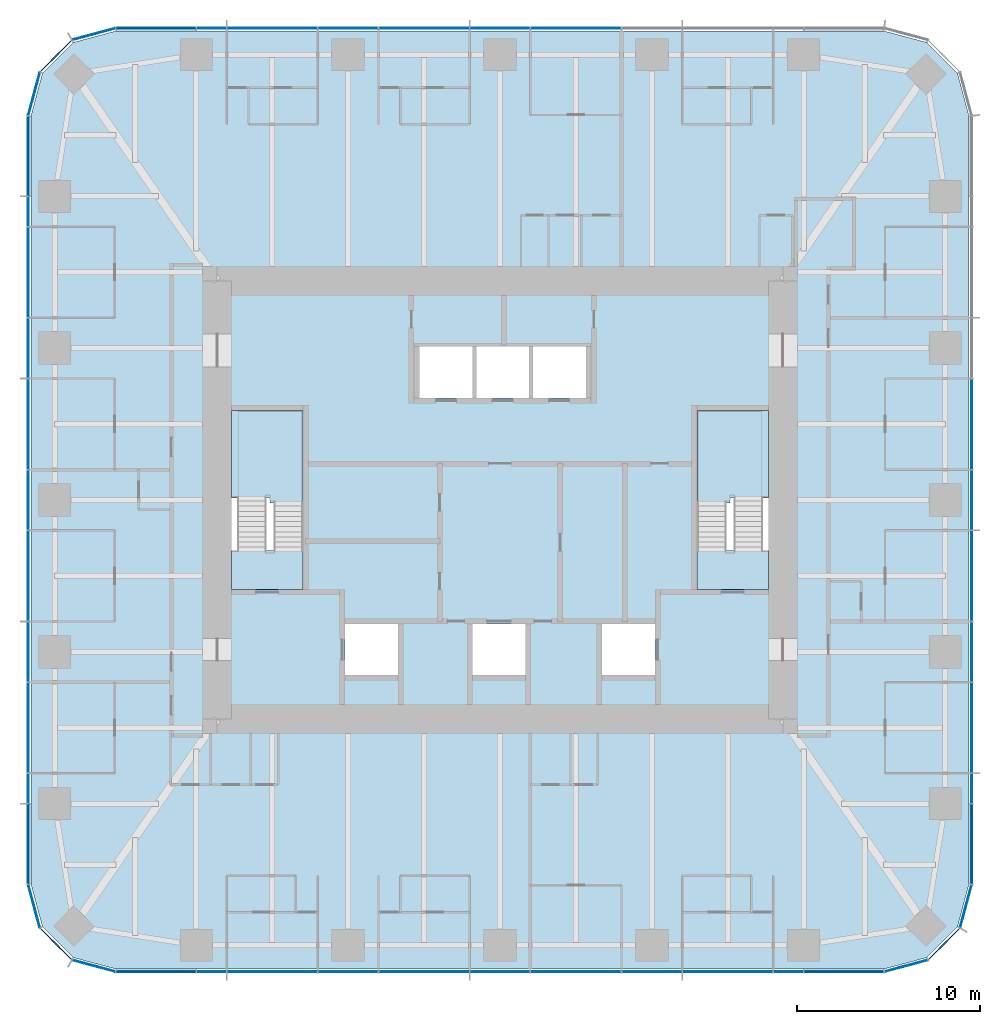
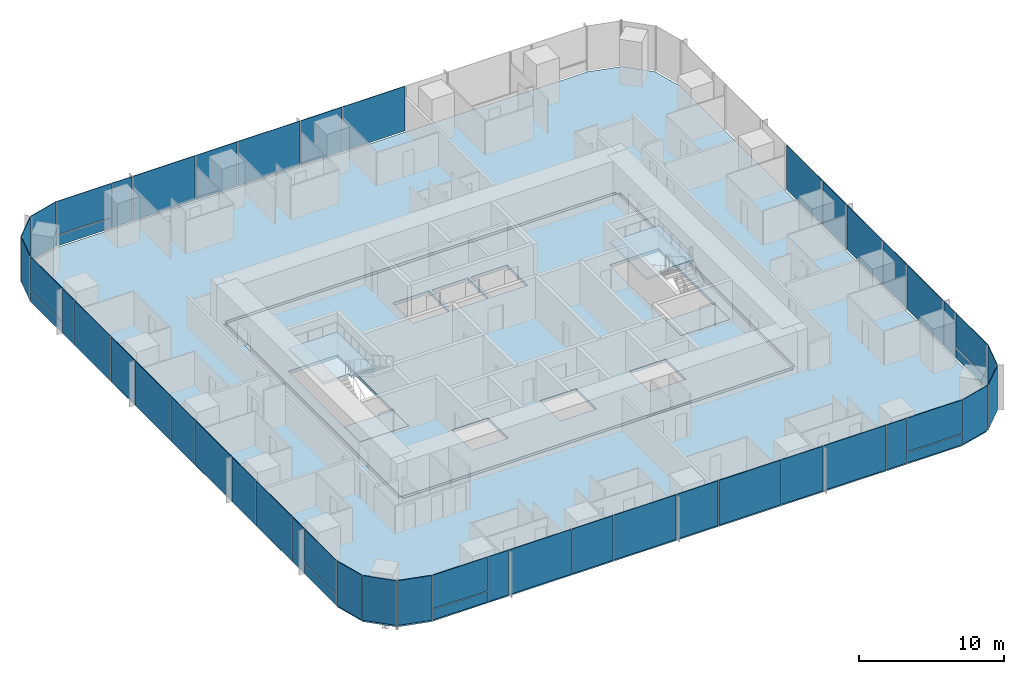
# One storey, part 7 of 13: 51 plates, 6 slabs, 9 elements without a shape of their own.
"""IFC4 building model written with IfcOpenShell, lengths in metres."""

from ifc_helpers import new_model, si_unit, direction, frame, origin, origin_2d, place, context, subcontext, project, spatial, polyline, rectangle, outline, extrude, material, layer, layer_set, type_object, element, aggregate, save


model = new_model("IFC4")

# Units and contexts
model_context = context("Model", 3, precision=1e-05, world=origin(), true_north=direction((0.0, 1.0)))
body_context = subcontext(model_context, "Body", "Model", "MODEL_VIEW")
ifc_project = project(units=[si_unit("LENGTHUNIT", "METRE"), si_unit("AREAUNIT", "SQUARE_METRE"), si_unit("VOLUMEUNIT", "CUBIC_METRE"), si_unit("PLANEANGLEUNIT", "RADIAN"), si_unit("MASSUNIT", "GRAM", prefix="KILO")], contexts=[model_context])

# Site, building, storey
site_placement = place(None, origin())
site = spatial("IfcSite", under=ifc_project, at=site_placement, CompositionType="ELEMENT")
building_placement = place(site_placement, origin())
building = spatial("IfcBuilding", under=site, at=building_placement, Name="Khuree Lantern Residences", CompositionType="ELEMENT")
storey_placement = place(building_placement, frame((0.0, 0.0, 255.75)))
storey = spatial("IfcBuildingStorey", under=building, at=storey_placement, Name="L64", CompositionType="ELEMENT", Elevation=255.75)

# Slab
ifc_material_1 = material(Name="Concrete C35/45", Category="concrete")
ifc_layer_1 = layer(ifc_material_1, 0.25)
ifc_layer_set_1 = layer_set([ifc_layer_1], Name="CFL250 CORE FLOOR SLAB 250")
slab_type_1 = type_object("IfcSlabType", Name="CFL250 CORE FLOOR SLAB 250", PredefinedType="FLOOR", material=ifc_layer_set_1)
slab_1_placement = place(storey_placement, frame((0.0, 0.0, -0.25)))
element("IfcSlab", 1, at=slab_1_placement, inside=storey, type_object=slab_type_1, Name="Core floor L64", PredefinedType="FLOOR", context=body_context, shape_type="SweptSolid", body=[
    extrude(outline(polyline([(-15.5, -12.0), (-15.5, 12.0), (15.5, 12.0), (15.5, -12.0), (-15.5, -12.0)]), holes=[polyline([(10.800048828125, 4.89990234375), (10.800048828125, -4.89990234375), (14.699951171875, -4.89990234375), (14.699951171875, 4.89990234375), (10.800048828125, 4.89990234375)]), polyline([(5.60009765625, -6.800048828125), (5.60009765625, -9.60009765625), (8.5, -9.60009765625), (8.5, -6.800048828125), (5.60009765625, -6.800048828125)]), polyline([(1.800048828125, 8.39990234375), (1.800048828125, 5.60009765625), (4.699951171875, 5.60009765625), (4.699951171875, 8.39990234375), (1.800048828125, 8.39990234375)]), polyline([(-1.300048828125, 8.39990234375), (-1.300048828125, 5.60009765625), (1.60009765625, 5.60009765625), (1.60009765625, 8.39990234375), (-1.300048828125, 8.39990234375)]), polyline([(-1.5, -6.800048828125), (-1.5, -9.60009765625), (1.39990234375, -9.60009765625), (1.39990234375, -6.800048828125), (-1.5, -6.800048828125)]), polyline([(-4.39990234375, 8.39990234375), (-4.39990234375, 5.60009765625), (-1.5, 5.60009765625), (-1.5, 8.39990234375), (-4.39990234375, 8.39990234375)]), polyline([(-8.5, -6.800048828125), (-8.5, -9.60009765625), (-5.60009765625, -9.60009765625), (-5.60009765625, -6.800048828125), (-8.5, -6.800048828125)]), polyline([(-14.699951171875, 4.89990234375), (-14.699951171875, -4.89990234375), (-10.800048828125, -4.89990234375), (-10.800048828125, 4.89990234375), (-14.699951171875, 4.89990234375)])]), origin(), (0.0, 0.0, 1.0), 0.25),
])

# Curtain wall, plates
ifc_material_2 = material(Name="Bronze anodised aluminium", Category="aluminium")
curtain_wall_type_1 = type_object("IfcCurtainWallType", Name="CW-T2 TOWER CORNER CURTAIN WALL", PredefinedType="USERDEFINED", material=ifc_material_2)
curtain_wall_1_placement = place(storey_placement, origin())
curtain_wall_1 = element("IfcCurtainWall", 2, at=curtain_wall_1_placement, inside=storey, type_object=curtain_wall_type_1, Name="L64 SOUTH-EAST CORNER CURTAIN WALL", ObjectType="Faceted corner curtain wall", PredefinedType="USERDEFINED")
ifc_material_3 = material(Name="Bronze tinted triple glazing", Category="glass")
ifc_layer_2 = layer(ifc_material_3, 0.048095703125)
ifc_layer_set_2 = layer_set([ifc_layer_2], Name="FACET PANEL P4")
plate_type_1 = type_object("IfcPlateType", Name="FACET PANEL P4", PredefinedType="CURTAIN_PANEL", material=ifc_layer_set_2)
plate_1_placement = place(storey_placement, frame((22.248046875, -25.529052734375, 0.0), z_axis=(0.0, 0.0, 1.0), x_axis=(0.965925832509, 0.258819021888, 0.0)))
plate_1 = element("IfcPlate", 3, at=plate_1_placement, type_object=plate_type_1, Name="L64 SOUTH-EAST CORNER PANEL 1.1", PredefinedType="CURTAIN_PANEL", context=body_context, shape_type="SweptSolid", body=[
    extrude(rectangle(XDim=2.40869140625, YDim=0.048095703125, at=origin_2d()), origin(), (0.0, 0.0, 1.0), 3.75),
])
plate_2_placement = place(storey_placement, frame((24.328369140625, -24.328369140625, 0.0), z_axis=(0.0, 0.0, 1.0), x_axis=(0.707106781187, 0.707106781187, 0.0)))
plate_2 = element("IfcPlate", 4, at=plate_2_placement, type_object=plate_type_1, Name="L64 SOUTH-EAST CORNER PANEL 2.1", PredefinedType="CURTAIN_PANEL", context=body_context, shape_type="SweptSolid", body=[
    extrude(rectangle(XDim=2.404541015625, YDim=0.048095703125, at=origin_2d()), origin(), (0.0, 0.0, 1.0), 3.75),
])
plate_3_placement = place(storey_placement, frame((25.529052734375, -22.248046875, 0.0), z_axis=(0.0, 0.0, 1.0), x_axis=(0.258819021888, 0.965925832509, 0.0)))
plate_3 = element("IfcPlate", 5, at=plate_3_placement, type_object=plate_type_1, Name="L64 SOUTH-EAST CORNER PANEL 3.1", PredefinedType="CURTAIN_PANEL", context=body_context, shape_type="SweptSolid", body=[
    extrude(rectangle(XDim=2.40869140625, YDim=0.048095703125, at=origin_2d()), origin(), (0.0, 0.0, 1.0), 3.75),
])
aggregate(curtain_wall_1, [plate_1, plate_2, plate_3])

curtain_wall_2_placement = place(storey_placement, origin())
curtain_wall_2 = element("IfcCurtainWall", 6, at=curtain_wall_2_placement, inside=storey, type_object=curtain_wall_type_1, Name="L64 NORTH-WEST CORNER CURTAIN WALL", ObjectType="Faceted corner curtain wall", PredefinedType="USERDEFINED")
plate_4_placement = place(storey_placement, frame((-22.248046875, 25.529052734375, 0.0), z_axis=(0.0, 0.0, 1.0), x_axis=(-0.965925832509, -0.258819021888, 0.0)))
plate_4 = element("IfcPlate", 7, at=plate_4_placement, type_object=plate_type_1, Name="L64 NORTH-WEST CORNER PANEL 29.1", PredefinedType="CURTAIN_PANEL", context=body_context, shape_type="SweptSolid", body=[
    extrude(rectangle(XDim=2.40869140625, YDim=0.048095703125, at=origin_2d()), origin(), (0.0, 0.0, 1.0), 3.75),
])
plate_5_placement = place(storey_placement, frame((-24.328369140625, 24.328369140625, 0.0), z_axis=(0.0, 0.0, 1.0), x_axis=(-0.707106781187, -0.707106781187, 0.0)))
plate_5 = element("IfcPlate", 8, at=plate_5_placement, type_object=plate_type_1, Name="L64 NORTH-WEST CORNER PANEL 30.1", PredefinedType="CURTAIN_PANEL", context=body_context, shape_type="SweptSolid", body=[
    extrude(rectangle(XDim=2.404541015625, YDim=0.048095703125, at=origin_2d()), origin(), (0.0, 0.0, 1.0), 3.75),
])
plate_6_placement = place(storey_placement, frame((-25.529052734375, 22.248046875, 0.0), z_axis=(0.0, 0.0, 1.0), x_axis=(-0.258819021888, -0.965925832509, 0.0)))
plate_6 = element("IfcPlate", 9, at=plate_6_placement, type_object=plate_type_1, Name="L64 NORTH-WEST CORNER PANEL 31.1", PredefinedType="CURTAIN_PANEL", context=body_context, shape_type="SweptSolid", body=[
    extrude(rectangle(XDim=2.40869140625, YDim=0.048095703125, at=origin_2d()), origin(), (0.0, 0.0, 1.0), 3.75),
])
aggregate(curtain_wall_2, [plate_4, plate_5, plate_6])

curtain_wall_3_placement = place(storey_placement, origin())
curtain_wall_3 = element("IfcCurtainWall", 10, at=curtain_wall_3_placement, inside=storey, type_object=curtain_wall_type_1, Name="L64 SOUTH-WEST CORNER CURTAIN WALL", ObjectType="Faceted corner curtain wall", PredefinedType="USERDEFINED")
plate_7_placement = place(storey_placement, frame((-25.529052734375, -22.248046875, 0.0), z_axis=(0.0, 0.0, 1.0), x_axis=(0.258819021888, -0.965925832509, 0.0)))
plate_7 = element("IfcPlate", 11, at=plate_7_placement, type_object=plate_type_1, Name="L64 SOUTH-WEST CORNER PANEL 43.1", PredefinedType="CURTAIN_PANEL", context=body_context, shape_type="SweptSolid", body=[
    extrude(rectangle(XDim=2.40869140625, YDim=0.048095703125, at=origin_2d()), origin(), (0.0, 0.0, 1.0), 3.75),
])
plate_8_placement = place(storey_placement, frame((-24.328369140625, -24.328369140625, 0.0), z_axis=(0.0, 0.0, 1.0), x_axis=(0.707106781187, -0.707106781187, 0.0)))
plate_8 = element("IfcPlate", 12, at=plate_8_placement, type_object=plate_type_1, Name="L64 SOUTH-WEST CORNER PANEL 44.1", PredefinedType="CURTAIN_PANEL", context=body_context, shape_type="SweptSolid", body=[
    extrude(rectangle(XDim=2.404541015625, YDim=0.048095703125, at=origin_2d()), origin(), (0.0, 0.0, 1.0), 3.75),
])
plate_9_placement = place(storey_placement, frame((-22.248046875, -25.529052734375, 0.0), z_axis=(0.0, 0.0, 1.0), x_axis=(0.965925832509, -0.258819021888, 0.0)))
plate_9 = element("IfcPlate", 13, at=plate_9_placement, type_object=plate_type_1, Name="L64 SOUTH-WEST CORNER PANEL 45.1", PredefinedType="CURTAIN_PANEL", context=body_context, shape_type="SweptSolid", body=[
    extrude(rectangle(XDim=2.40869140625, YDim=0.048095703125, at=origin_2d()), origin(), (0.0, 0.0, 1.0), 3.75),
])
aggregate(curtain_wall_3, [plate_7, plate_8, plate_9])

curtain_wall_type_2 = type_object("IfcCurtainWallType", Name="CW-T1 TOWER FACE CURTAIN WALL", PredefinedType="USERDEFINED", material=ifc_material_2)
curtain_wall_4_placement = place(storey_placement, origin())
curtain_wall_4 = element("IfcCurtainWall", 14, at=curtain_wall_4_placement, inside=storey, type_object=curtain_wall_type_2, Name="L64 EAST FACE CURTAIN WALL", ObjectType="Stick-built curtain wall", PredefinedType="USERDEFINED")
ifc_material_4 = material(Name="Bronze tinted triple glazing with a ceramic-fritted spandrel band", Category="glass")
ifc_layer_3 = layer(ifc_material_4, 0.048095703125)
ifc_layer_set_3 = layer_set([ifc_layer_3], Name="FIXED LIGHT PANEL P11")
plate_type_2 = type_object("IfcPlateType", Name="FIXED LIGHT PANEL P11", PredefinedType="CURTAIN_PANEL", material=ifc_layer_set_3)
plate_10_placement = place(storey_placement, frame((25.85009765625, -12.47998046875, 0.0), z_axis=(0.0, 0.0, 1.0), x_axis=(0.0, 1.0, 0.0)))
plate_10 = element("IfcPlate", 15, at=plate_10_placement, type_object=plate_type_2, Name="L64 EAST FACE PANEL 6.1", PredefinedType="CURTAIN_PANEL", context=body_context, shape_type="SweptSolid", body=[
    extrude(rectangle(XDim=4.927001953125, YDim=0.048095703125, at=origin_2d()), origin(), (0.0, 0.0, 1.0), 3.75),
])
plate_11_placement = place(storey_placement, frame((25.85009765625, -4.159912109375, 0.0), z_axis=(0.0, 0.0, 1.0), x_axis=(0.0, 1.0, 0.0)))
plate_11 = element("IfcPlate", 16, at=plate_11_placement, type_object=plate_type_2, Name="L64 EAST FACE PANEL 8.1", PredefinedType="CURTAIN_PANEL", context=body_context, shape_type="SweptSolid", body=[
    extrude(rectangle(XDim=4.927001953125, YDim=0.048095703125, at=origin_2d()), origin(), (0.0, 0.0, 1.0), 3.75),
])
plate_12_placement = place(storey_placement, frame((25.85009765625, 4.159912109375, 0.0), z_axis=(0.0, 0.0, 1.0), x_axis=(0.0, 1.0, 0.0)))
plate_12 = element("IfcPlate", 17, at=plate_12_placement, type_object=plate_type_2, Name="L64 EAST FACE PANEL 10.1", PredefinedType="CURTAIN_PANEL", context=body_context, shape_type="SweptSolid", body=[
    extrude(rectangle(XDim=4.927001953125, YDim=0.048095703125, at=origin_2d()), origin(), (0.0, 0.0, 1.0), 3.75),
])

curtain_wall_5_placement = place(storey_placement, origin())
curtain_wall_5 = element("IfcCurtainWall", 18, at=curtain_wall_5_placement, inside=storey, type_object=curtain_wall_type_2, Name="L64 NORTH FACE CURTAIN WALL", ObjectType="Stick-built curtain wall", PredefinedType="USERDEFINED")
plate_13_placement = place(storey_placement, frame((4.159912109375, 25.85009765625, 0.0), z_axis=(0.0, 0.0, 1.0), x_axis=(-1.0, 0.0, 0.0)))
plate_13 = element("IfcPlate", 19, at=plate_13_placement, type_object=plate_type_2, Name="L64 NORTH FACE PANEL 22.1", PredefinedType="CURTAIN_PANEL", context=body_context, shape_type="SweptSolid", body=[
    extrude(rectangle(XDim=4.927001953125, YDim=0.048095703125, at=origin_2d()), origin(), (0.0, 0.0, 1.0), 3.75),
])
plate_14_placement = place(storey_placement, frame((-4.159912109375, 25.85009765625, 0.0), z_axis=(0.0, 0.0, 1.0), x_axis=(-1.0, 0.0, 0.0)))
plate_14 = element("IfcPlate", 20, at=plate_14_placement, type_object=plate_type_2, Name="L64 NORTH FACE PANEL 24.1", PredefinedType="CURTAIN_PANEL", context=body_context, shape_type="SweptSolid", body=[
    extrude(rectangle(XDim=4.927001953125, YDim=0.048095703125, at=origin_2d()), origin(), (0.0, 0.0, 1.0), 3.75),
])
plate_15_placement = place(storey_placement, frame((-12.47998046875, 25.85009765625, 0.0), z_axis=(0.0, 0.0, 1.0), x_axis=(-1.0, 0.0, 0.0)))
plate_15 = element("IfcPlate", 21, at=plate_15_placement, type_object=plate_type_2, Name="L64 NORTH FACE PANEL 26.1", PredefinedType="CURTAIN_PANEL", context=body_context, shape_type="SweptSolid", body=[
    extrude(rectangle(XDim=4.927001953125, YDim=0.048095703125, at=origin_2d()), origin(), (0.0, 0.0, 1.0), 3.75),
])

curtain_wall_6_placement = place(storey_placement, origin())
curtain_wall_6 = element("IfcCurtainWall", 22, at=curtain_wall_6_placement, inside=storey, type_object=curtain_wall_type_2, Name="L64 WEST FACE CURTAIN WALL", ObjectType="Stick-built curtain wall", PredefinedType="USERDEFINED")
plate_16_placement = place(storey_placement, frame((-25.85009765625, 12.47998046875, 0.0), z_axis=(0.0, 0.0, 1.0), x_axis=(0.0, -1.0, 0.0)))
plate_16 = element("IfcPlate", 23, at=plate_16_placement, type_object=plate_type_2, Name="L64 WEST FACE PANEL 34.1", PredefinedType="CURTAIN_PANEL", context=body_context, shape_type="SweptSolid", body=[
    extrude(rectangle(XDim=4.927001953125, YDim=0.048095703125, at=origin_2d()), origin(), (0.0, 0.0, 1.0), 3.75),
])
plate_17_placement = place(storey_placement, frame((-25.85009765625, 4.159912109375, 0.0), z_axis=(0.0, 0.0, 1.0), x_axis=(0.0, -1.0, 0.0)))
plate_17 = element("IfcPlate", 24, at=plate_17_placement, type_object=plate_type_2, Name="L64 WEST FACE PANEL 36.1", PredefinedType="CURTAIN_PANEL", context=body_context, shape_type="SweptSolid", body=[
    extrude(rectangle(XDim=4.927001953125, YDim=0.048095703125, at=origin_2d()), origin(), (0.0, 0.0, 1.0), 3.75),
])
plate_18_placement = place(storey_placement, frame((-25.85009765625, -4.159912109375, 0.0), z_axis=(0.0, 0.0, 1.0), x_axis=(0.0, -1.0, 0.0)))
plate_18 = element("IfcPlate", 25, at=plate_18_placement, type_object=plate_type_2, Name="L64 WEST FACE PANEL 38.1", PredefinedType="CURTAIN_PANEL", context=body_context, shape_type="SweptSolid", body=[
    extrude(rectangle(XDim=4.927001953125, YDim=0.048095703125, at=origin_2d()), origin(), (0.0, 0.0, 1.0), 3.75),
])
plate_19_placement = place(storey_placement, frame((-25.85009765625, -12.47998046875, 0.0), z_axis=(0.0, 0.0, 1.0), x_axis=(0.0, -1.0, 0.0)))
plate_19 = element("IfcPlate", 26, at=plate_19_placement, type_object=plate_type_2, Name="L64 WEST FACE PANEL 40.1", PredefinedType="CURTAIN_PANEL", context=body_context, shape_type="SweptSolid", body=[
    extrude(rectangle(XDim=4.927001953125, YDim=0.048095703125, at=origin_2d()), origin(), (0.0, 0.0, 1.0), 3.75),
])

curtain_wall_7_placement = place(storey_placement, origin())
curtain_wall_7 = element("IfcCurtainWall", 27, at=curtain_wall_7_placement, inside=storey, type_object=curtain_wall_type_2, Name="L64 SOUTH FACE CURTAIN WALL", ObjectType="Stick-built curtain wall", PredefinedType="USERDEFINED")
plate_20_placement = place(storey_placement, frame((-12.47998046875, -25.85009765625, 0.0), z_axis=(0.0, 0.0, 1.0), x_axis=(1.0, 0.0, 0.0)))
plate_20 = element("IfcPlate", 28, at=plate_20_placement, type_object=plate_type_2, Name="L64 SOUTH FACE PANEL 48.1", PredefinedType="CURTAIN_PANEL", context=body_context, shape_type="SweptSolid", body=[
    extrude(rectangle(XDim=4.927001953125, YDim=0.048095703125, at=origin_2d()), origin(), (0.0, 0.0, 1.0), 3.75),
])
plate_21_placement = place(storey_placement, frame((-4.159912109375, -25.85009765625, 0.0), z_axis=(0.0, 0.0, 1.0), x_axis=(1.0, 0.0, 0.0)))
plate_21 = element("IfcPlate", 29, at=plate_21_placement, type_object=plate_type_2, Name="L64 SOUTH FACE PANEL 50.1", PredefinedType="CURTAIN_PANEL", context=body_context, shape_type="SweptSolid", body=[
    extrude(rectangle(XDim=4.927001953125, YDim=0.048095703125, at=origin_2d()), origin(), (0.0, 0.0, 1.0), 3.75),
])
plate_22_placement = place(storey_placement, frame((4.159912109375, -25.85009765625, 0.0), z_axis=(0.0, 0.0, 1.0), x_axis=(1.0, 0.0, 0.0)))
plate_22 = element("IfcPlate", 30, at=plate_22_placement, type_object=plate_type_2, Name="L64 SOUTH FACE PANEL 52.1", PredefinedType="CURTAIN_PANEL", context=body_context, shape_type="SweptSolid", body=[
    extrude(rectangle(XDim=4.927001953125, YDim=0.048095703125, at=origin_2d()), origin(), (0.0, 0.0, 1.0), 3.75),
])
plate_23_placement = place(storey_placement, frame((12.47998046875, -25.85009765625, 0.0), z_axis=(0.0, 0.0, 1.0), x_axis=(1.0, 0.0, 0.0)))
plate_23 = element("IfcPlate", 31, at=plate_23_placement, type_object=plate_type_2, Name="L64 SOUTH FACE PANEL 54.1", PredefinedType="CURTAIN_PANEL", context=body_context, shape_type="SweptSolid", body=[
    extrude(rectangle(XDim=4.927001953125, YDim=0.048095703125, at=origin_2d()), origin(), (0.0, 0.0, 1.0), 3.75),
])

# Slab
ifc_layer_4 = layer(ifc_material_1, 0.25)
ifc_layer_set_4 = layer_set([ifc_layer_4], Name="FS250 FLOOR SLAB 250")
slab_type_2 = type_object("IfcSlabType", Name="FS250 FLOOR SLAB 250", PredefinedType="FLOOR", material=ifc_layer_set_4)
slab_2_placement = place(storey_placement, frame((0.0, 0.0, -0.25)))
element("IfcSlab", 32, at=slab_2_placement, inside=storey, type_object=slab_type_2, Name="Floor slab L64", PredefinedType="FLOOR", context=body_context, shape_type="SweptSolid", body=[
    extrude(outline(polyline([(-23.375, -25.076904296875), (-25.076904296875, -23.375), (-25.699951171875, -21.050048828125), (-25.699951171875, 21.050048828125), (-25.076904296875, 23.375), (-23.375, 25.076904296875), (-21.050048828125, 25.699951171875), (21.050048828125, 25.699951171875), (23.375, 25.076904296875), (25.076904296875, 23.375), (25.699951171875, 21.050048828125), (25.699951171875, -21.050048828125), (25.076904296875, -23.375), (23.375, -25.076904296875), (21.050048828125, -25.699951171875), (-21.050048828125, -25.699951171875), (-23.375, -25.076904296875)]), holes=[polyline([(15.75, 12.0), (15.5, 12.0), (15.5, 12.25), (-15.5, 12.25), (-15.5, 12.0), (-15.75, 12.0), (-15.75, -12.0), (-15.5, -12.0), (-15.5, -12.25), (15.5, -12.25), (15.5, -12.0), (15.75, -12.0), (15.75, 12.0)])]), origin(), (0.0, 0.0, 1.0), 0.25),
])

# Plate
ifc_material_5 = material(Name="Bronze tinted triple glazing, two aluminium-framed sashes in one frame", Category="aluminium")
ifc_layer_5 = layer(ifc_material_5, 0.048095703125)
ifc_layer_set_5 = layer_set([ifc_layer_5], Name="SASH PAIR PANEL P12")
plate_type_3 = type_object("IfcPlateType", Name="SASH PAIR PANEL P12", PredefinedType="CURTAIN_PANEL", material=ifc_layer_set_5)
plate_24_placement = place(storey_placement, frame((25.85009765625, -8.320068359375, 0.0), z_axis=(0.0, 0.0, 1.0), x_axis=(0.0, 1.0, 0.0)))
plate_24 = element("IfcPlate", 33, at=plate_24_placement, type_object=plate_type_3, Name="L64 EAST FACE PANEL 7.1", PredefinedType="CURTAIN_PANEL", context=body_context, shape_type="SweptSolid", body=[
    extrude(rectangle(XDim=3.262939453125, YDim=0.048095703125, at=origin_2d()), origin(), (0.0, 0.0, 1.0), 3.75),
])

plate_25_placement = place(storey_placement, frame((25.85009765625, 0.0, 0.0), z_axis=(0.0, 0.0, 1.0), x_axis=(0.0, 1.0, 0.0)))
plate_25 = element("IfcPlate", 34, at=plate_25_placement, type_object=plate_type_3, Name="L64 EAST FACE PANEL 9.1", PredefinedType="CURTAIN_PANEL", context=body_context, shape_type="SweptSolid", body=[
    extrude(rectangle(XDim=3.262939453125, YDim=0.048095703125, at=origin_2d()), origin(), (0.0, 0.0, 1.0), 3.75),
])

plate_26_placement = place(storey_placement, frame((0.0, 25.85009765625, 0.0), z_axis=(0.0, 0.0, 1.0), x_axis=(-1.0, 0.0, 0.0)))
plate_26 = element("IfcPlate", 35, at=plate_26_placement, type_object=plate_type_3, Name="L64 NORTH FACE PANEL 23.1", PredefinedType="CURTAIN_PANEL", context=body_context, shape_type="SweptSolid", body=[
    extrude(rectangle(XDim=3.262939453125, YDim=0.048095703125, at=origin_2d()), origin(), (0.0, 0.0, 1.0), 3.75),
])

plate_27_placement = place(storey_placement, frame((-8.320068359375, 25.85009765625, 0.0), z_axis=(0.0, 0.0, 1.0), x_axis=(-1.0, 0.0, 0.0)))
plate_27 = element("IfcPlate", 36, at=plate_27_placement, type_object=plate_type_3, Name="L64 NORTH FACE PANEL 25.1", PredefinedType="CURTAIN_PANEL", context=body_context, shape_type="SweptSolid", body=[
    extrude(rectangle(XDim=3.262939453125, YDim=0.048095703125, at=origin_2d()), origin(), (0.0, 0.0, 1.0), 3.75),
])

plate_28_placement = place(storey_placement, frame((-25.85009765625, 8.320068359375, 0.0), z_axis=(0.0, 0.0, 1.0), x_axis=(0.0, -1.0, 0.0)))
plate_28 = element("IfcPlate", 37, at=plate_28_placement, type_object=plate_type_3, Name="L64 WEST FACE PANEL 35.1", PredefinedType="CURTAIN_PANEL", context=body_context, shape_type="SweptSolid", body=[
    extrude(rectangle(XDim=3.262939453125, YDim=0.048095703125, at=origin_2d()), origin(), (0.0, 0.0, 1.0), 3.75),
])

plate_29_placement = place(storey_placement, frame((-25.85009765625, 0.0, 0.0), z_axis=(0.0, 0.0, 1.0), x_axis=(0.0, -1.0, 0.0)))
plate_29 = element("IfcPlate", 38, at=plate_29_placement, type_object=plate_type_3, Name="L64 WEST FACE PANEL 37.1", PredefinedType="CURTAIN_PANEL", context=body_context, shape_type="SweptSolid", body=[
    extrude(rectangle(XDim=3.262939453125, YDim=0.048095703125, at=origin_2d()), origin(), (0.0, 0.0, 1.0), 3.75),
])

plate_30_placement = place(storey_placement, frame((-25.85009765625, -8.320068359375, 0.0), z_axis=(0.0, 0.0, 1.0), x_axis=(0.0, -1.0, 0.0)))
plate_30 = element("IfcPlate", 39, at=plate_30_placement, type_object=plate_type_3, Name="L64 WEST FACE PANEL 39.1", PredefinedType="CURTAIN_PANEL", context=body_context, shape_type="SweptSolid", body=[
    extrude(rectangle(XDim=3.262939453125, YDim=0.048095703125, at=origin_2d()), origin(), (0.0, 0.0, 1.0), 3.75),
])

plate_31_placement = place(storey_placement, frame((-8.320068359375, -25.85009765625, 0.0), z_axis=(0.0, 0.0, 1.0), x_axis=(1.0, 0.0, 0.0)))
plate_31 = element("IfcPlate", 40, at=plate_31_placement, type_object=plate_type_3, Name="L64 SOUTH FACE PANEL 49.1", PredefinedType="CURTAIN_PANEL", context=body_context, shape_type="SweptSolid", body=[
    extrude(rectangle(XDim=3.262939453125, YDim=0.048095703125, at=origin_2d()), origin(), (0.0, 0.0, 1.0), 3.75),
])

plate_32_placement = place(storey_placement, frame((0.0, -25.85009765625, 0.0), z_axis=(0.0, 0.0, 1.0), x_axis=(1.0, 0.0, 0.0)))
plate_32 = element("IfcPlate", 41, at=plate_32_placement, type_object=plate_type_3, Name="L64 SOUTH FACE PANEL 51.1", PredefinedType="CURTAIN_PANEL", context=body_context, shape_type="SweptSolid", body=[
    extrude(rectangle(XDim=3.262939453125, YDim=0.048095703125, at=origin_2d()), origin(), (0.0, 0.0, 1.0), 3.75),
])

plate_33_placement = place(storey_placement, frame((8.320068359375, -25.85009765625, 0.0), z_axis=(0.0, 0.0, 1.0), x_axis=(1.0, 0.0, 0.0)))
plate_33 = element("IfcPlate", 42, at=plate_33_placement, type_object=plate_type_3, Name="L64 SOUTH FACE PANEL 53.1", PredefinedType="CURTAIN_PANEL", context=body_context, shape_type="SweptSolid", body=[
    extrude(rectangle(XDim=3.262939453125, YDim=0.048095703125, at=origin_2d()), origin(), (0.0, 0.0, 1.0), 3.75),
])

ifc_material_6 = material(Name="Bronze tinted triple glazing, aluminium-framed sash", Category="aluminium")
ifc_layer_6 = layer(ifc_material_6, 0.048095703125)
ifc_layer_set_6 = layer_set([ifc_layer_6], Name="SASH PANEL P3")
plate_type_4 = type_object("IfcPlateType", Name="SASH PANEL P3", PredefinedType="CURTAIN_PANEL", material=ifc_layer_set_6)
plate_34_placement = place(storey_placement, frame((25.85009765625, -15.80810546875, 0.0), z_axis=(0.0, 0.0, 1.0), x_axis=(0.0, 1.0, 0.0)))
plate_34 = element("IfcPlate", 43, at=plate_34_placement, type_object=plate_type_4, Name="L64 EAST FACE PANEL 5.1", PredefinedType="CURTAIN_PANEL", context=body_context, shape_type="SweptSolid", body=[
    extrude(rectangle(XDim=1.59912109375, YDim=0.048095703125, at=origin_2d()), origin(), (0.0, 0.0, 1.0), 3.75),
])

plate_35_placement = place(storey_placement, frame((-15.80810546875, 25.85009765625, 0.0), z_axis=(0.0, 0.0, 1.0), x_axis=(-1.0, 0.0, 0.0)))
plate_35 = element("IfcPlate", 44, at=plate_35_placement, type_object=plate_type_4, Name="L64 NORTH FACE PANEL 27.1", PredefinedType="CURTAIN_PANEL", context=body_context, shape_type="SweptSolid", body=[
    extrude(rectangle(XDim=1.59912109375, YDim=0.048095703125, at=origin_2d()), origin(), (0.0, 0.0, 1.0), 3.75),
])

plate_36_placement = place(storey_placement, frame((-25.85009765625, 15.80810546875, 0.0), z_axis=(0.0, 0.0, 1.0), x_axis=(0.0, -1.0, 0.0)))
plate_36 = element("IfcPlate", 45, at=plate_36_placement, type_object=plate_type_4, Name="L64 WEST FACE PANEL 33.1", PredefinedType="CURTAIN_PANEL", context=body_context, shape_type="SweptSolid", body=[
    extrude(rectangle(XDim=1.59912109375, YDim=0.048095703125, at=origin_2d()), origin(), (0.0, 0.0, 1.0), 3.75),
])

plate_37_placement = place(storey_placement, frame((-25.85009765625, -15.80810546875, 0.0), z_axis=(0.0, 0.0, 1.0), x_axis=(0.0, -1.0, 0.0)))
plate_37 = element("IfcPlate", 46, at=plate_37_placement, type_object=plate_type_4, Name="L64 WEST FACE PANEL 41.1", PredefinedType="CURTAIN_PANEL", context=body_context, shape_type="SweptSolid", body=[
    extrude(rectangle(XDim=1.59912109375, YDim=0.048095703125, at=origin_2d()), origin(), (0.0, 0.0, 1.0), 3.75),
])

plate_38_placement = place(storey_placement, frame((-15.80810546875, -25.85009765625, 0.0), z_axis=(0.0, 0.0, 1.0), x_axis=(1.0, 0.0, 0.0)))
plate_38 = element("IfcPlate", 47, at=plate_38_placement, type_object=plate_type_4, Name="L64 SOUTH FACE PANEL 47.1", PredefinedType="CURTAIN_PANEL", context=body_context, shape_type="SweptSolid", body=[
    extrude(rectangle(XDim=1.59912109375, YDim=0.048095703125, at=origin_2d()), origin(), (0.0, 0.0, 1.0), 3.75),
])

plate_39_placement = place(storey_placement, frame((15.80810546875, -25.85009765625, 0.0), z_axis=(0.0, 0.0, 1.0), x_axis=(1.0, 0.0, 0.0)))
plate_39 = element("IfcPlate", 48, at=plate_39_placement, type_object=plate_type_4, Name="L64 SOUTH FACE PANEL 55.1", PredefinedType="CURTAIN_PANEL", context=body_context, shape_type="SweptSolid", body=[
    extrude(rectangle(XDim=1.59912109375, YDim=0.048095703125, at=origin_2d()), origin(), (0.0, 0.0, 1.0), 3.75),
])

ifc_material_7 = material(Name="Bronze anodised aluminium insulated spandrel", Category="aluminium")
ifc_layer_7 = layer(ifc_material_7, 0.06005859375)
ifc_layer_set_7 = layer_set([ifc_layer_7], Name="SPANDREL PANEL P2")
plate_type_5 = type_object("IfcPlateType", Name="SPANDREL PANEL P2", PredefinedType="CURTAIN_PANEL", material=ifc_layer_set_7)
plate_40_placement = place(storey_placement, frame((25.85009765625, -18.8427734375, 0.0), z_axis=(0.0, 0.0, 1.0), x_axis=(0.0, 1.0, 0.0)))
plate_40 = element("IfcPlate", 49, at=plate_40_placement, type_object=plate_type_5, Name="L64 EAST FACE PANEL 4.1", PredefinedType="CURTAIN_PANEL", context=body_context, shape_type="SweptSolid", body=[
    extrude(rectangle(XDim=4.3408203125, YDim=0.06005859375, at=origin_2d()), origin(), (0.0, 0.0, 1.0), 0.867431640625),
])

plate_41_placement = place(storey_placement, frame((-18.8427734375, 25.85009765625, 0.0), z_axis=(0.0, 0.0, 1.0), x_axis=(-1.0, 0.0, 0.0)))
plate_41 = element("IfcPlate", 50, at=plate_41_placement, type_object=plate_type_5, Name="L64 NORTH FACE PANEL 28.1", PredefinedType="CURTAIN_PANEL", context=body_context, shape_type="SweptSolid", body=[
    extrude(rectangle(XDim=4.3408203125, YDim=0.06005859375, at=origin_2d()), origin(), (0.0, 0.0, 1.0), 0.867431640625),
])

plate_42_placement = place(storey_placement, frame((-25.85009765625, 18.8427734375, 0.0), z_axis=(0.0, 0.0, 1.0), x_axis=(0.0, -1.0, 0.0)))
plate_42 = element("IfcPlate", 51, at=plate_42_placement, type_object=plate_type_5, Name="L64 WEST FACE PANEL 32.1", PredefinedType="CURTAIN_PANEL", context=body_context, shape_type="SweptSolid", body=[
    extrude(rectangle(XDim=4.3408203125, YDim=0.06005859375, at=origin_2d()), origin(), (0.0, 0.0, 1.0), 0.867431640625),
])

plate_43_placement = place(storey_placement, frame((-25.85009765625, -18.8427734375, 0.0), z_axis=(0.0, 0.0, 1.0), x_axis=(0.0, -1.0, 0.0)))
plate_43 = element("IfcPlate", 52, at=plate_43_placement, type_object=plate_type_5, Name="L64 WEST FACE PANEL 42.1", PredefinedType="CURTAIN_PANEL", context=body_context, shape_type="SweptSolid", body=[
    extrude(rectangle(XDim=4.3408203125, YDim=0.06005859375, at=origin_2d()), origin(), (0.0, 0.0, 1.0), 0.867431640625),
])

plate_44_placement = place(storey_placement, frame((-18.8427734375, -25.85009765625, 0.0), z_axis=(0.0, 0.0, 1.0), x_axis=(1.0, 0.0, 0.0)))
plate_44 = element("IfcPlate", 53, at=plate_44_placement, type_object=plate_type_5, Name="L64 SOUTH FACE PANEL 46.1", PredefinedType="CURTAIN_PANEL", context=body_context, shape_type="SweptSolid", body=[
    extrude(rectangle(XDim=4.3408203125, YDim=0.06005859375, at=origin_2d()), origin(), (0.0, 0.0, 1.0), 0.867431640625),
])

plate_45_placement = place(storey_placement, frame((18.8427734375, -25.85009765625, 0.0), z_axis=(0.0, 0.0, 1.0), x_axis=(1.0, 0.0, 0.0)))
plate_45 = element("IfcPlate", 54, at=plate_45_placement, type_object=plate_type_5, Name="L64 SOUTH FACE PANEL 56.1", PredefinedType="CURTAIN_PANEL", context=body_context, shape_type="SweptSolid", body=[
    extrude(rectangle(XDim=4.3408203125, YDim=0.06005859375, at=origin_2d()), origin(), (0.0, 0.0, 1.0), 0.867431640625),
])

# Stair, slabs
ifc_material_8 = material(Name="Concrete C40/50", Category="concrete")
stair_type = type_object("IfcStairType", Name="STAIR ST1 HALF TURN 3600", PredefinedType="HALF_TURN_STAIR", material=ifc_material_8)
stair_1_placement = place(storey_placement, origin())
stair_1 = element("IfcStair", 55, at=stair_1_placement, inside=storey, type_object=stair_type, Name="Stair ST1", PredefinedType="HALF_TURN_STAIR")
ifc_layer_8 = layer(ifc_material_8, 0.199951171875)
ifc_layer_set_8 = layer_set([ifc_layer_8], Name="STAIR LANDING SL1 200")
slab_type_3 = type_object("IfcSlabType", Name="STAIR LANDING SL1 200", PredefinedType="LANDING", material=ifc_layer_set_8)
slab_3_placement = place(storey_placement, frame((0.0, 0.0, -0.199951171875)))
slab_3 = element("IfcSlab", 56, at=slab_3_placement, type_object=slab_type_3, Name="ST1 landing 1", PredefinedType="LANDING", context=body_context, shape_type="SweptSolid", body=[
    extrude(outline(polyline([(-14.699951171875, -4.89990234375), (-10.800048828125, -4.89990234375), (-10.800048828125, -2.760009765625), (-14.699951171875, -2.760009765625), (-14.699951171875, -4.89990234375)])), origin(), (0.0, 0.0, 1.0), 0.199951171875),
])
slab_4_placement = place(storey_placement, frame((0.0, 0.0, 1.756591796875)))
slab_4 = element("IfcSlab", 57, at=slab_4_placement, type_object=slab_type_3, Name="ST1 landing 2", PredefinedType="LANDING", context=body_context, shape_type="SweptSolid", body=[
    extrude(outline(polyline([(-14.699951171875, 0.1201171875), (-14.699951171875, 4.89990234375), (-10.800048828125, 4.89990234375), (-10.800048828125, -0.159912109375), (-12.60009765625, -0.159912109375), (-12.60009765625, 0.1201171875), (-14.699951171875, 0.1201171875)])), origin(), (0.0, 0.0, 1.0), 0.199951171875),
])
aggregate(stair_1, [slab_3, slab_4])

stair_2_placement = place(storey_placement, origin())
stair_2 = element("IfcStair", 58, at=stair_2_placement, inside=storey, type_object=stair_type, Name="Stair ST2", PredefinedType="HALF_TURN_STAIR")
slab_5_placement = place(storey_placement, frame((0.0, 0.0, -0.199951171875)))
slab_5 = element("IfcSlab", 59, at=slab_5_placement, type_object=slab_type_3, Name="ST2 landing 1", PredefinedType="LANDING", context=body_context, shape_type="SweptSolid", body=[
    extrude(outline(polyline([(10.800048828125, -4.89990234375), (14.699951171875, -4.89990234375), (14.699951171875, -2.760009765625), (10.800048828125, -2.760009765625), (10.800048828125, -4.89990234375)])), origin(), (0.0, 0.0, 1.0), 0.199951171875),
])
slab_6_placement = place(storey_placement, frame((0.0, 0.0, 1.756591796875)))
slab_6 = element("IfcSlab", 60, at=slab_6_placement, type_object=slab_type_3, Name="ST2 landing 2", PredefinedType="LANDING", context=body_context, shape_type="SweptSolid", body=[
    extrude(outline(polyline([(14.699951171875, 4.89990234375), (14.699951171875, 0.1201171875), (12.60009765625, 0.1201171875), (12.60009765625, -0.159912109375), (10.800048828125, -0.159912109375), (10.800048828125, 4.89990234375), (14.699951171875, 4.89990234375)])), origin(), (0.0, 0.0, 1.0), 0.199951171875),
])
aggregate(stair_2, [slab_5, slab_6])

# Plate
ifc_layer_9 = layer(ifc_material_3, 0.048095703125)
ifc_layer_set_9 = layer_set([ifc_layer_9], Name="VISION PANEL P1")
plate_type_6 = type_object("IfcPlateType", Name="VISION PANEL P1", PredefinedType="CURTAIN_PANEL", material=ifc_layer_set_9)
plate_46_placement = place(storey_placement, frame((25.85009765625, -18.84326171875, 0.9326171875), z_axis=(0.0, 0.0, 1.0), x_axis=(0.0, 1.0, 0.0)))
plate_46 = element("IfcPlate", 61, at=plate_46_placement, type_object=plate_type_6, Name="L64 EAST FACE PANEL 4.2", PredefinedType="CURTAIN_PANEL", context=body_context, shape_type="SweptSolid", body=[
    extrude(rectangle(XDim=4.341552734375, YDim=0.048095703125, at=origin_2d()), origin(), (0.0, 0.0, 1.0), 2.8173828125),
])

aggregate(curtain_wall_4, [plate_40, plate_46, plate_34, plate_10, plate_24, plate_11, plate_25, plate_12])

plate_47_placement = place(storey_placement, frame((-18.84326171875, 25.85009765625, 0.9326171875), z_axis=(0.0, 0.0, 1.0), x_axis=(-1.0, 0.0, 0.0)))
plate_47 = element("IfcPlate", 62, at=plate_47_placement, type_object=plate_type_6, Name="L64 NORTH FACE PANEL 28.2", PredefinedType="CURTAIN_PANEL", context=body_context, shape_type="SweptSolid", body=[
    extrude(rectangle(XDim=4.341552734375, YDim=0.048095703125, at=origin_2d()), origin(), (0.0, 0.0, 1.0), 2.8173828125),
])

aggregate(curtain_wall_5, [plate_13, plate_26, plate_14, plate_27, plate_15, plate_35, plate_41, plate_47])

plate_48_placement = place(storey_placement, frame((-25.85009765625, 18.84326171875, 0.9326171875), z_axis=(0.0, 0.0, 1.0), x_axis=(0.0, -1.0, 0.0)))
plate_48 = element("IfcPlate", 63, at=plate_48_placement, type_object=plate_type_6, Name="L64 WEST FACE PANEL 32.2", PredefinedType="CURTAIN_PANEL", context=body_context, shape_type="SweptSolid", body=[
    extrude(rectangle(XDim=4.341552734375, YDim=0.048095703125, at=origin_2d()), origin(), (0.0, 0.0, 1.0), 2.8173828125),
])

plate_49_placement = place(storey_placement, frame((-25.85009765625, -18.84326171875, 0.9326171875), z_axis=(0.0, 0.0, 1.0), x_axis=(0.0, -1.0, 0.0)))
plate_49 = element("IfcPlate", 64, at=plate_49_placement, type_object=plate_type_6, Name="L64 WEST FACE PANEL 42.2", PredefinedType="CURTAIN_PANEL", context=body_context, shape_type="SweptSolid", body=[
    extrude(rectangle(XDim=4.341552734375, YDim=0.048095703125, at=origin_2d()), origin(), (0.0, 0.0, 1.0), 2.8173828125),
])

aggregate(curtain_wall_6, [plate_42, plate_48, plate_36, plate_16, plate_28, plate_17, plate_29, plate_18, plate_30, plate_19, plate_37, plate_43, plate_49])

plate_50_placement = place(storey_placement, frame((-18.84326171875, -25.85009765625, 0.9326171875), z_axis=(0.0, 0.0, 1.0), x_axis=(1.0, 0.0, 0.0)))
plate_50 = element("IfcPlate", 65, at=plate_50_placement, type_object=plate_type_6, Name="L64 SOUTH FACE PANEL 46.2", PredefinedType="CURTAIN_PANEL", context=body_context, shape_type="SweptSolid", body=[
    extrude(rectangle(XDim=4.341552734375, YDim=0.048095703125, at=origin_2d()), origin(), (0.0, 0.0, 1.0), 2.8173828125),
])

plate_51_placement = place(storey_placement, frame((18.84326171875, -25.85009765625, 0.9326171875), z_axis=(0.0, 0.0, 1.0), x_axis=(1.0, 0.0, 0.0)))
plate_51 = element("IfcPlate", 66, at=plate_51_placement, type_object=plate_type_6, Name="L64 SOUTH FACE PANEL 56.2", PredefinedType="CURTAIN_PANEL", context=body_context, shape_type="SweptSolid", body=[
    extrude(rectangle(XDim=4.341552734375, YDim=0.048095703125, at=origin_2d()), origin(), (0.0, 0.0, 1.0), 2.8173828125),
])

aggregate(curtain_wall_7, [plate_44, plate_50, plate_38, plate_20, plate_31, plate_21, plate_32, plate_22, plate_33, plate_23, plate_39, plate_45, plate_51])

save(model, "model.ifc")
